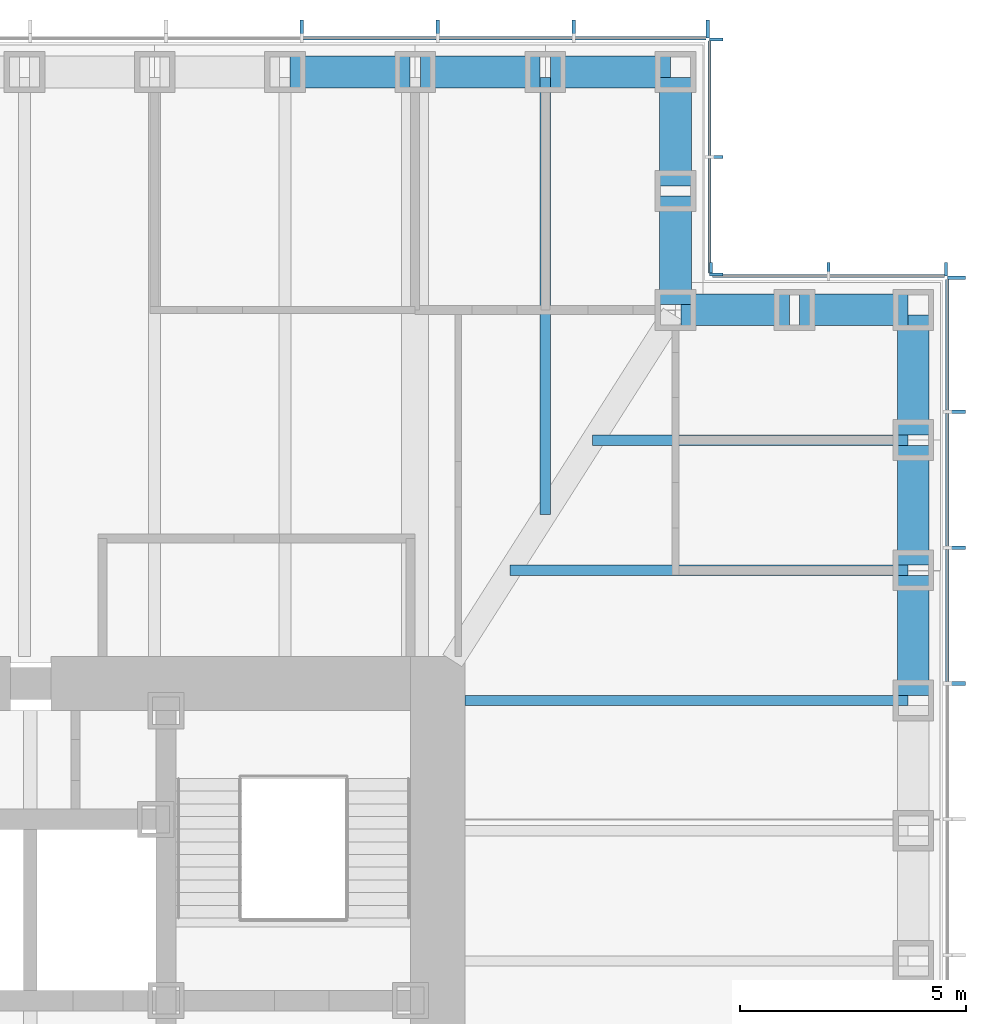
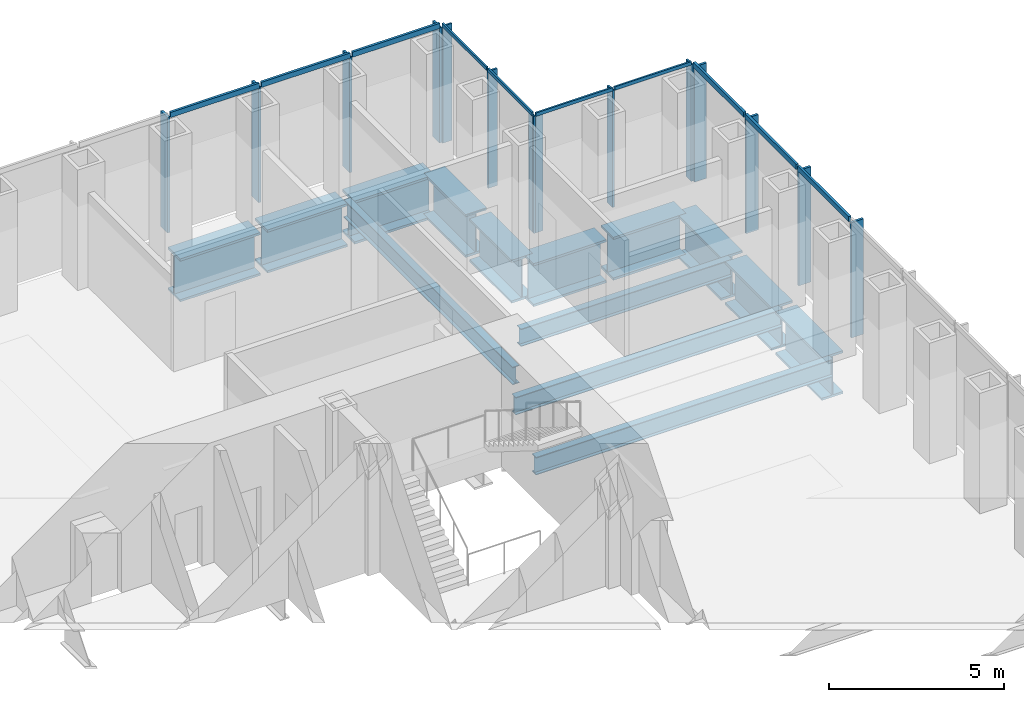
# One storey, part 6 of 17: 24 members, 14 beams, 4 elements without a shape of their own.
"""IFC4 building model written with IfcOpenShell, lengths in metres."""

from ifc_helpers import new_model, si_unit, direction, frame, origin, origin_2d, place, context, subcontext, project, spatial, rectangle, i_section, extrude, material, material_profile, profile_set, type_object, element, aggregate, save


model = new_model("IFC4")

# Units and contexts
model_context = context("Model", 3, precision=1e-05, world=origin(), true_north=direction((0.0, 1.0)))
body_context = subcontext(model_context, "Body", "Model", "MODEL_VIEW")
ifc_project = project(units=[si_unit("LENGTHUNIT", "METRE"), si_unit("AREAUNIT", "SQUARE_METRE"), si_unit("VOLUMEUNIT", "CUBIC_METRE"), si_unit("PLANEANGLEUNIT", "RADIAN"), si_unit("MASSUNIT", "GRAM", prefix="KILO")], contexts=[model_context])

# Site, building, storey
site_placement = place(None, origin())
site = spatial("IfcSite", under=ifc_project, at=site_placement, CompositionType="ELEMENT")
building_placement = place(site_placement, origin())
building = spatial("IfcBuilding", under=site, at=building_placement, Name="Daluyong Arena Tower", CompositionType="ELEMENT")
storey_placement = place(building_placement, frame((0.0, 0.0, 150.10009765625)))
storey = spatial("IfcBuildingStorey", under=building, at=storey_placement, Name="L33", CompositionType="ELEMENT", Elevation=150.10009765625)

# Curtain wall, members
ifc_material_1 = material(Name="Bronze anodised aluminium and glass", Category="aluminium")
curtain_wall_type_1 = type_object("IfcCurtainWallType", Name="Curtain wall CW2", PredefinedType="USERDEFINED", material=ifc_material_1)
curtain_wall_1_placement = place(storey_placement, origin())
curtain_wall_1 = element("IfcCurtainWall", 1, at=curtain_wall_1_placement, inside=storey, type_object=curtain_wall_type_1, Name="curtain wall L33 E", ObjectType="UNITISED CURTAIN WALL", PredefinedType="USERDEFINED")
ifc_material_2 = material(Name="Bronze anodised aluminium fin", Category="aluminium")
ifc_material_profile_1 = material_profile(ifc_material_2, rectangle(XDim=0.39990234375, YDim=0.080078125, at=origin_2d()))
ifc_profile_set_1 = profile_set([ifc_material_profile_1], Name="Bronze anodised aluminium fin")
member_type_1 = type_object("IfcMemberType", Name="CW2 bronze fin 400x80", PredefinedType="MULLION", material=ifc_profile_set_1)
member_1_placement = place(storey_placement, frame((79.449951171875, 89.0, 0.0), z_axis=(0.0, 0.0, 1.0), x_axis=(-1.0, 0.0, 0.0)))
member_1 = element("IfcMember", 2, at=member_1_placement, type_object=member_type_1, Name="curtain wall L33 E fin 10", PredefinedType="MULLION", context=body_context, shape_type="SweptSolid", body=[
    extrude(rectangle(XDim=0.39990234375, YDim=0.080078125, at=origin_2d()), origin(), (0.0, 0.0, 1.0), 4.02001953125),
])
member_2_placement = place(storey_placement, frame((79.449951171875, 92.0, 0.0), z_axis=(0.0, 0.0, 1.0), x_axis=(-1.0, 0.0, 0.0)))
member_2 = element("IfcMember", 3, at=member_2_placement, type_object=member_type_1, Name="curtain wall L33 E fin 11", PredefinedType="MULLION", context=body_context, shape_type="SweptSolid", body=[
    extrude(rectangle(XDim=0.39990234375, YDim=0.080078125, at=origin_2d()), origin(), (0.0, 0.0, 1.0), 4.02001953125),
])
member_3_placement = place(storey_placement, frame((79.449951171875, 95.0, 0.0), z_axis=(0.0, 0.0, 1.0), x_axis=(-1.0, 0.0, 0.0)))
member_3 = element("IfcMember", 4, at=member_3_placement, type_object=member_type_1, Name="curtain wall L33 E fin 12", PredefinedType="MULLION", context=body_context, shape_type="SweptSolid", body=[
    extrude(rectangle(XDim=0.39990234375, YDim=0.080078125, at=origin_2d()), origin(), (0.0, 0.0, 1.0), 4.02001953125),
])
member_4_placement = place(storey_placement, frame((79.449951171875, 97.9599609375, 0.0), z_axis=(0.0, 0.0, 1.0), x_axis=(-1.0, 0.0, 0.0)))
member_4 = element("IfcMember", 5, at=member_4_placement, type_object=member_type_1, Name="curtain wall L33 E fin 13", PredefinedType="MULLION", context=body_context, shape_type="SweptSolid", body=[
    extrude(rectangle(XDim=0.39990234375, YDim=0.080078125, at=origin_2d()), origin(), (0.0, 0.0, 1.0), 4.02001953125),
])

curtain_wall_2_placement = place(storey_placement, origin())
curtain_wall_2 = element("IfcCurtainWall", 6, at=curtain_wall_2_placement, inside=storey, type_object=curtain_wall_type_1, Name="curtain wall L33 N", ObjectType="UNITISED CURTAIN WALL", PredefinedType="USERDEFINED")
member_5_placement = place(storey_placement, frame((73.9599609375, 103.449951171875, 0.0), z_axis=(0.0, 0.0, 1.0), x_axis=(0.0, -1.0, 0.0)))
member_5 = element("IfcMember", 7, at=member_5_placement, type_object=member_type_1, Name="curtain wall L33 N fin 1", PredefinedType="MULLION", context=body_context, shape_type="SweptSolid", body=[
    extrude(rectangle(XDim=0.39990234375, YDim=0.080078125, at=origin_2d()), origin(), (0.0, 0.0, 1.0), 4.02001953125),
])
member_6_placement = place(storey_placement, frame((71.0, 103.449951171875, 0.0), z_axis=(0.0, 0.0, 1.0), x_axis=(0.0, -1.0, 0.0)))
member_6 = element("IfcMember", 8, at=member_6_placement, type_object=member_type_1, Name="curtain wall L33 N fin 2", PredefinedType="MULLION", context=body_context, shape_type="SweptSolid", body=[
    extrude(rectangle(XDim=0.39990234375, YDim=0.080078125, at=origin_2d()), origin(), (0.0, 0.0, 1.0), 4.02001953125),
])
member_7_placement = place(storey_placement, frame((68.0, 103.449951171875, 0.0), z_axis=(0.0, 0.0, 1.0), x_axis=(0.0, -1.0, 0.0)))
member_7 = element("IfcMember", 9, at=member_7_placement, type_object=member_type_1, Name="curtain wall L33 N fin 3", PredefinedType="MULLION", context=body_context, shape_type="SweptSolid", body=[
    extrude(rectangle(XDim=0.39990234375, YDim=0.080078125, at=origin_2d()), origin(), (0.0, 0.0, 1.0), 4.02001953125),
])
member_8_placement = place(storey_placement, frame((65.0, 103.449951171875, 0.0), z_axis=(0.0, 0.0, 1.0), x_axis=(0.0, -1.0, 0.0)))
member_8 = element("IfcMember", 10, at=member_8_placement, type_object=member_type_1, Name="curtain wall L33 N fin 4", PredefinedType="MULLION", context=body_context, shape_type="SweptSolid", body=[
    extrude(rectangle(XDim=0.39990234375, YDim=0.080078125, at=origin_2d()), origin(), (0.0, 0.0, 1.0), 4.02001953125),
])

# Member
ifc_material_3 = material(Name="Bronze anodised aluminium", Category="aluminium")
ifc_material_profile_2 = material_profile(ifc_material_3, rectangle(XDim=0.080078125, YDim=0.179931640625, at=origin_2d()))
ifc_profile_set_2 = profile_set([ifc_material_profile_2], Name="Bronze anodised aluminium")
member_type_2 = type_object("IfcMemberType", Name="CW2 stack transom 180x80", PredefinedType="USERDEFINED", material=ifc_profile_set_2)
member_9_placement = place(storey_placement, frame((79.25, 89.0400390625, 4.10986328125), z_axis=(0.0, 1.0, 0.0), x_axis=(-1.0, 0.0, 0.0)))
member_9 = element("IfcMember", 11, at=member_9_placement, type_object=member_type_2, Name="curtain wall L33 E transom 10", ObjectType="TRANSOM", PredefinedType="USERDEFINED", context=body_context, shape_type="SweptSolid", body=[
    extrude(rectangle(XDim=0.080078125, YDim=0.179931640625, at=origin_2d()), origin(), (0.0, 0.0, 1.0), 2.919921875),
])

member_10_placement = place(storey_placement, frame((79.25, 92.0400390625, 4.10986328125), z_axis=(0.0, 1.0, 0.0), x_axis=(-1.0, 0.0, 0.0)))
member_10 = element("IfcMember", 12, at=member_10_placement, type_object=member_type_2, Name="curtain wall L33 E transom 11", ObjectType="TRANSOM", PredefinedType="USERDEFINED", context=body_context, shape_type="SweptSolid", body=[
    extrude(rectangle(XDim=0.080078125, YDim=0.179931640625, at=origin_2d()), origin(), (0.0, 0.0, 1.0), 2.919921875),
])

member_11_placement = place(storey_placement, frame((79.25, 95.0400390625, 4.10986328125), z_axis=(0.0, 1.0, 0.0), x_axis=(-1.0, 0.0, 0.0)))
member_11 = element("IfcMember", 13, at=member_11_placement, type_object=member_type_2, Name="curtain wall L33 E transom 12", ObjectType="TRANSOM", PredefinedType="USERDEFINED", context=body_context, shape_type="SweptSolid", body=[
    extrude(rectangle(XDim=0.080078125, YDim=0.179931640625, at=origin_2d()), origin(), (0.0, 0.0, 1.0), 2.8798828125),
])

aggregate(curtain_wall_1, [member_1, member_2, member_3, member_4, member_9, member_10, member_11])

member_12_placement = place(storey_placement, frame((73.919921875, 103.25, 4.10986328125), z_axis=(-1.0, 0.0, 0.0), x_axis=(0.0, -1.0, 0.0)))
member_12 = element("IfcMember", 14, at=member_12_placement, type_object=member_type_2, Name="curtain wall L33 N transom 1", ObjectType="TRANSOM", PredefinedType="USERDEFINED", context=body_context, shape_type="SweptSolid", body=[
    extrude(rectangle(XDim=0.080078125, YDim=0.179931640625, at=origin_2d()), origin(), (0.0, 0.0, 1.0), 2.8798828125),
])

member_13_placement = place(storey_placement, frame((70.9599609375, 103.25, 4.10986328125), z_axis=(-1.0, 0.0, 0.0), x_axis=(0.0, -1.0, 0.0)))
member_13 = element("IfcMember", 15, at=member_13_placement, type_object=member_type_2, Name="curtain wall L33 N transom 2", ObjectType="TRANSOM", PredefinedType="USERDEFINED", context=body_context, shape_type="SweptSolid", body=[
    extrude(rectangle(XDim=0.080078125, YDim=0.179931640625, at=origin_2d()), origin(), (0.0, 0.0, 1.0), 2.919921875),
])

member_14_placement = place(storey_placement, frame((67.9599609375, 103.25, 4.10986328125), z_axis=(-1.0, 0.0, 0.0), x_axis=(0.0, -1.0, 0.0)))
member_14 = element("IfcMember", 16, at=member_14_placement, type_object=member_type_2, Name="curtain wall L33 N transom 3", ObjectType="TRANSOM", PredefinedType="USERDEFINED", context=body_context, shape_type="SweptSolid", body=[
    extrude(rectangle(XDim=0.080078125, YDim=0.179931640625, at=origin_2d()), origin(), (0.0, 0.0, 1.0), 2.919921875),
])

aggregate(curtain_wall_2, [member_5, member_6, member_7, member_8, member_12, member_13, member_14])

# Curtain wall, members
ifc_material_4 = material(Name="Bronze anodised aluminium and glass", Category="aluminium")
curtain_wall_type_2 = type_object("IfcCurtainWallType", Name="Curtain wall CW7", PredefinedType="USERDEFINED", material=ifc_material_4)
curtain_wall_3_placement = place(storey_placement, origin())
curtain_wall_3 = element("IfcCurtainWall", 17, at=curtain_wall_3_placement, inside=storey, type_object=curtain_wall_type_2, Name="curtain wall L33 NE-N", ObjectType="UNITISED CURTAIN WALL", PredefinedType="USERDEFINED")
ifc_material_5 = material(Name="Bronze anodised aluminium fin", Category="aluminium")
ifc_material_profile_3 = material_profile(ifc_material_5, rectangle(XDim=0.300048828125, YDim=0.06005859375, at=origin_2d()))
ifc_profile_set_3 = profile_set([ifc_material_profile_3], Name="Bronze anodised aluminium fin")
member_type_3 = type_object("IfcMemberType", Name="CW7 bronze fin 300x60", PredefinedType="MULLION", material=ifc_profile_set_3)
member_15_placement = place(storey_placement, frame((79.219970703125, 98.14990234375, 0.0), z_axis=(0.0, 0.0, 1.0), x_axis=(0.0, -1.0, 0.0)))
member_15 = element("IfcMember", 18, at=member_15_placement, type_object=member_type_3, Name="curtain wall L33 NE-N fin 1", PredefinedType="MULLION", context=body_context, shape_type="SweptSolid", body=[
    extrude(rectangle(XDim=0.300048828125, YDim=0.06005859375, at=origin_2d()), origin(), (0.0, 0.0, 1.0), 4.079833984375),
])
member_16_placement = place(storey_placement, frame((76.625, 98.14990234375, 0.0), z_axis=(0.0, 0.0, 1.0), x_axis=(0.0, -1.0, 0.0)))
member_16 = element("IfcMember", 19, at=member_16_placement, type_object=member_type_3, Name="curtain wall L33 NE-N fin 2", PredefinedType="MULLION", context=body_context, shape_type="SweptSolid", body=[
    extrude(rectangle(XDim=0.300048828125, YDim=0.06005859375, at=origin_2d()), origin(), (0.0, 0.0, 1.0), 4.079833984375),
])
member_17_placement = place(storey_placement, frame((74.030029296875, 98.14990234375, 0.0), z_axis=(0.0, 0.0, 1.0), x_axis=(0.0, -1.0, 0.0)))
member_17 = element("IfcMember", 20, at=member_17_placement, type_object=member_type_3, Name="curtain wall L33 NE-N fin 3", PredefinedType="MULLION", context=body_context, shape_type="SweptSolid", body=[
    extrude(rectangle(XDim=0.300048828125, YDim=0.06005859375, at=origin_2d()), origin(), (0.0, 0.0, 1.0), 4.079833984375),
])

curtain_wall_4_placement = place(storey_placement, origin())
curtain_wall_4 = element("IfcCurtainWall", 21, at=curtain_wall_4_placement, inside=storey, type_object=curtain_wall_type_2, Name="curtain wall L33 NE-E", ObjectType="UNITISED CURTAIN WALL", PredefinedType="USERDEFINED")
member_18_placement = place(storey_placement, frame((74.14990234375, 98.030029296875, 0.0), z_axis=(0.0, 0.0, 1.0), x_axis=(-1.0, 0.0, 0.0)))
member_18 = element("IfcMember", 22, at=member_18_placement, type_object=member_type_3, Name="curtain wall L33 NE-E fin 1", PredefinedType="MULLION", context=body_context, shape_type="SweptSolid", body=[
    extrude(rectangle(XDim=0.300048828125, YDim=0.06005859375, at=origin_2d()), origin(), (0.0, 0.0, 1.0), 4.079833984375),
])
member_19_placement = place(storey_placement, frame((74.14990234375, 100.625, 0.0), z_axis=(0.0, 0.0, 1.0), x_axis=(-1.0, 0.0, 0.0)))
member_19 = element("IfcMember", 23, at=member_19_placement, type_object=member_type_3, Name="curtain wall L33 NE-E fin 2", PredefinedType="MULLION", context=body_context, shape_type="SweptSolid", body=[
    extrude(rectangle(XDim=0.300048828125, YDim=0.06005859375, at=origin_2d()), origin(), (0.0, 0.0, 1.0), 4.079833984375),
])
member_20_placement = place(storey_placement, frame((74.14990234375, 103.219970703125, 0.0), z_axis=(0.0, 0.0, 1.0), x_axis=(-1.0, 0.0, 0.0)))
member_20 = element("IfcMember", 24, at=member_20_placement, type_object=member_type_3, Name="curtain wall L33 NE-E fin 3", PredefinedType="MULLION", context=body_context, shape_type="SweptSolid", body=[
    extrude(rectangle(XDim=0.300048828125, YDim=0.06005859375, at=origin_2d()), origin(), (0.0, 0.0, 1.0), 4.079833984375),
])

# Member
ifc_material_6 = material(Name="Bronze anodised aluminium", Category="aluminium")
ifc_material_profile_4 = material_profile(ifc_material_6, rectangle(XDim=0.06005859375, YDim=0.1201171875, at=origin_2d()))
ifc_profile_set_4 = profile_set([ifc_material_profile_4], Name="Bronze anodised aluminium")
member_type_4 = type_object("IfcMemberType", Name="CW7 stack transom 120x60", PredefinedType="USERDEFINED", material=ifc_profile_set_4)
member_21_placement = place(storey_placement, frame((79.18994140625, 98.0, 4.139892578125), z_axis=(-1.0, 0.0, 0.0), x_axis=(0.0, -1.0, 0.0)))
member_21 = element("IfcMember", 25, at=member_21_placement, type_object=member_type_4, Name="curtain wall L33 NE-N transom 1", ObjectType="TRANSOM", PredefinedType="USERDEFINED", context=body_context, shape_type="SweptSolid", body=[
    extrude(rectangle(XDim=0.06005859375, YDim=0.1201171875, at=origin_2d()), origin(), (0.0, 0.0, 1.0), 2.534912109375),
])

member_22_placement = place(storey_placement, frame((76.594970703125, 98.0, 4.139892578125), z_axis=(-1.0, 0.0, 0.0), x_axis=(0.0, -1.0, 0.0)))
member_22 = element("IfcMember", 26, at=member_22_placement, type_object=member_type_4, Name="curtain wall L33 NE-N transom 2", ObjectType="TRANSOM", PredefinedType="USERDEFINED", context=body_context, shape_type="SweptSolid", body=[
    extrude(rectangle(XDim=0.06005859375, YDim=0.1201171875, at=origin_2d()), origin(), (0.0, 0.0, 1.0), 2.534912109375),
])

aggregate(curtain_wall_3, [member_15, member_16, member_17, member_21, member_22])

member_23_placement = place(storey_placement, frame((74.0, 98.06005859375, 4.139892578125), z_axis=(0.0, 1.0, 0.0), x_axis=(-1.0, 0.0, 0.0)))
member_23 = element("IfcMember", 27, at=member_23_placement, type_object=member_type_4, Name="curtain wall L33 NE-E transom 1", ObjectType="TRANSOM", PredefinedType="USERDEFINED", context=body_context, shape_type="SweptSolid", body=[
    extrude(rectangle(XDim=0.06005859375, YDim=0.1201171875, at=origin_2d()), origin(), (0.0, 0.0, 1.0), 2.534912109375),
])

member_24_placement = place(storey_placement, frame((74.0, 100.655029296875, 4.139892578125), z_axis=(0.0, 1.0, 0.0), x_axis=(-1.0, 0.0, 0.0)))
member_24 = element("IfcMember", 28, at=member_24_placement, type_object=member_type_4, Name="curtain wall L33 NE-E transom 2", ObjectType="TRANSOM", PredefinedType="USERDEFINED", context=body_context, shape_type="SweptSolid", body=[
    extrude(rectangle(XDim=0.06005859375, YDim=0.1201171875, at=origin_2d()), origin(), (0.0, 0.0, 1.0), 2.534912109375),
])

aggregate(curtain_wall_4, [member_18, member_19, member_20, member_23, member_24])

# Beams
ifc_material_7 = material(Name="Steel ASTM A992 Grade 50", Category="steel")
ifc_material_profile_5 = material_profile(ifc_material_7, i_section(OverallWidth=0.22900390625, OverallDepth=0.612060546875, WebThickness=0.011962890625, FlangeThickness=0.01953125, at=origin_2d()))
ifc_profile_set_5 = profile_set([ifc_material_profile_5], Name="Steel ASTM A992 Grade 50")
beam_type_1 = type_object("IfcBeamType", Name="Floor beam W24X84", PredefinedType="BEAM", material=ifc_profile_set_5)
beam_1_placement = place(storey_placement, frame((78.385009765625, 88.625, -0.466064453125), z_axis=(-1.0, 0.0, 0.0), x_axis=(0.0, -1.0, 0.0)))
element("IfcBeam", 29, at=beam_1_placement, inside=storey, type_object=beam_type_1, Name="floor beam FB3", PredefinedType="BEAM", context=body_context, shape_type="SweptSolid", body=[
    extrude(i_section(OverallWidth=0.22900390625, OverallDepth=0.612060546875, WebThickness=0.011962890625, FlangeThickness=0.01953125, at=origin_2d()), origin(), (0.0, 0.0, 1.0), 9.784912109375),
])
beam_2_placement = place(storey_placement, frame((78.385009765625, 91.5, -0.466064453125), z_axis=(-1.0, 0.0, 0.0), x_axis=(0.0, -1.0, 0.0)))
element("IfcBeam", 30, at=beam_2_placement, inside=storey, type_object=beam_type_1, Name="floor beam FB3", PredefinedType="BEAM", context=body_context, shape_type="SweptSolid", body=[
    extrude(i_section(OverallWidth=0.22900390625, OverallDepth=0.612060546875, WebThickness=0.011962890625, FlangeThickness=0.01953125, at=origin_2d()), origin(), (0.0, 0.0, 1.0), 8.794189453125),
])
beam_3_placement = place(storey_placement, frame((78.385009765625, 94.375, -0.466064453125), z_axis=(-1.0, 0.0, 0.0), x_axis=(0.0, -1.0, 0.0)))
element("IfcBeam", 31, at=beam_3_placement, inside=storey, type_object=beam_type_1, Name="floor beam FB3", PredefinedType="BEAM", context=body_context, shape_type="SweptSolid", body=[
    extrude(i_section(OverallWidth=0.22900390625, OverallDepth=0.612060546875, WebThickness=0.011962890625, FlangeThickness=0.01953125, at=origin_2d()), origin(), (0.0, 0.0, 1.0), 6.964599609375),
])
beam_4_placement = place(storey_placement, frame((70.375, 102.385009765625, -0.466064453125), z_axis=(0.0, -1.0, 0.0), x_axis=(1.0, 0.0, 0.0)))
element("IfcBeam", 32, at=beam_4_placement, inside=storey, type_object=beam_type_1, Name="floor beam FB3", PredefinedType="BEAM", context=body_context, shape_type="SweptSolid", body=[
    extrude(i_section(OverallWidth=0.22900390625, OverallDepth=0.612060546875, WebThickness=0.011962890625, FlangeThickness=0.01953125, at=origin_2d()), origin(), (0.0, 0.0, 1.0), 9.65283203125),
])
ifc_material_8 = material(Name="Steel ASTM A572 Grade 50", Category="steel")
ifc_material_profile_6 = material_profile(ifc_material_8, i_section(OverallWidth=0.699951171875, OverallDepth=1.5, WebThickness=0.04, FlangeThickness=0.08, at=origin_2d()))
ifc_profile_set_6 = profile_set([ifc_material_profile_6], Name="Steel ASTM A572 Grade 50")
beam_type_2 = type_object("IfcBeamType", Name="Spandrel Z2 PG1500X700", PredefinedType="SPANDREL", material=ifc_profile_set_6)
for number, where, z_axis, x_axis, name in (
    (33, (78.5, 88.739990234375, -0.91015625), (0.0, 1.0, 0.0), (-1.0, 0.0, 0.0), "spandrel z2 SB6"),
    (34, (78.5, 91.614990234375, -0.91015625), (0.0, 1.0, 0.0), (-1.0, 0.0, 0.0), "spandrel z2 SB6"),
    (35, (78.5, 94.489990234375, -0.91015625), (0.0, 1.0, 0.0), (-1.0, 0.0, 0.0), "spandrel z2 SB6"),
):
    element("IfcBeam", number, at=place(storey_placement, frame(where, z_axis=z_axis, x_axis=x_axis)), inside=storey, type_object=beam_type_2, Name=name, PredefinedType="SPANDREL", context=body_context, shape_type="SweptSolid", body=[
        extrude(i_section(OverallWidth=0.699951171875, OverallDepth=1.5, WebThickness=0.04, FlangeThickness=0.08, at=origin_2d()), origin(), (0.0, 0.0, 1.0), 2.64501953125),
    ])
for number, where, z_axis, x_axis, name in (
    (36, (78.385009765625, 97.25, -0.91015625), (-1.0, 0.0, 0.0), (0.0, -1.0, 0.0), "spandrel z2 SB6"),
    (37, (75.760009765625, 97.25, -0.91015625), (-1.0, 0.0, 0.0), (0.0, -1.0, 0.0), "spandrel z2 SB6"),
    (38, (73.25, 97.364990234375, -0.91015625), (0.0, 1.0, 0.0), (-1.0, 0.0, 0.0), "spandrel z2 SB6"),
    (39, (73.25, 99.989990234375, -0.91015625), (0.0, 1.0, 0.0), (-1.0, 0.0, 0.0), "spandrel z2 SB6"),
):
    element("IfcBeam", number, at=place(storey_placement, frame(where, z_axis=z_axis, x_axis=x_axis)), inside=storey, type_object=beam_type_2, Name=name, PredefinedType="SPANDREL", context=body_context, shape_type="SweptSolid", body=[
        extrude(i_section(OverallWidth=0.699951171875, OverallDepth=1.5, WebThickness=0.04, FlangeThickness=0.08, at=origin_2d()), origin(), (0.0, 0.0, 1.0), 2.39501953125),
    ])
for number, where, z_axis, x_axis, name in (
    (40, (73.135009765625, 102.5, -0.91015625), (-1.0, 0.0, 0.0), (0.0, -1.0, 0.0), "spandrel z2 SB6"),
    (41, (70.260009765625, 102.5, -0.91015625), (-1.0, 0.0, 0.0), (0.0, -1.0, 0.0), "spandrel z2 SB6"),
    (42, (67.385009765625, 102.5, -0.91015625), (-1.0, 0.0, 0.0), (0.0, -1.0, 0.0), "spandrel z2 SB6"),
):
    element("IfcBeam", number, at=place(storey_placement, frame(where, z_axis=z_axis, x_axis=x_axis)), inside=storey, type_object=beam_type_2, Name=name, PredefinedType="SPANDREL", context=body_context, shape_type="SweptSolid", body=[
        extrude(i_section(OverallWidth=0.699951171875, OverallDepth=1.5, WebThickness=0.04, FlangeThickness=0.08, at=origin_2d()), origin(), (0.0, 0.0, 1.0), 2.64501953125),
    ])

save(model, "model.ifc")
